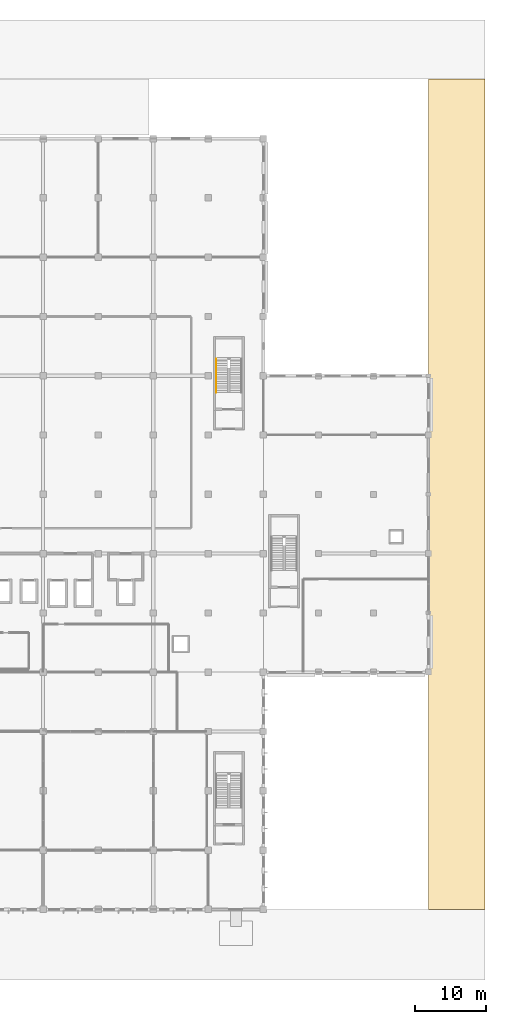
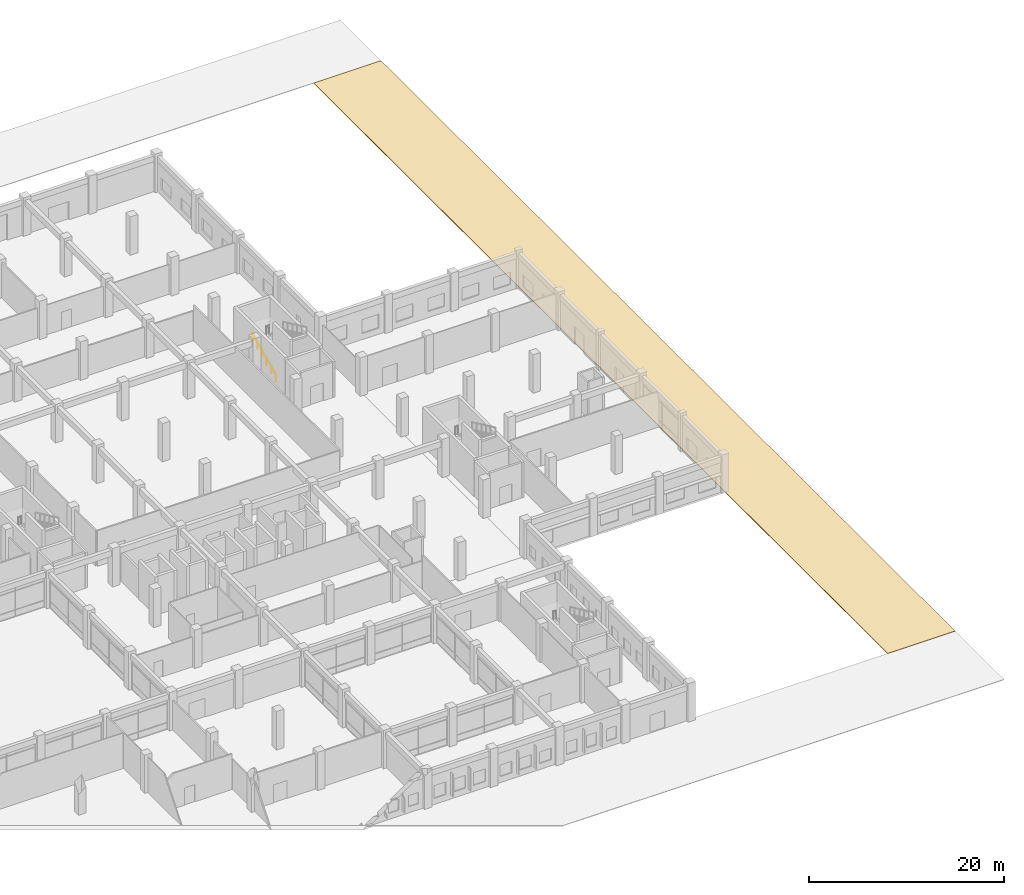
# One storey, part 73 of 74: 1 covering, 1 railing.
"""IFC4 building model written with IfcOpenShell, lengths in metres."""

from ifc_helpers import new_model, si_unit, direction, frame, origin, origin_2d, place, context, subcontext, project, spatial, polyline, circle, outline, extrude, material, layer, layer_set, type_object, element, save


model = new_model("IFC4")

# Units and contexts
model_context = context("Model", 3, precision=1e-05, world=origin(), true_north=direction((0.0, 1.0)))
body_context = subcontext(model_context, "Body", "Model", "MODEL_VIEW")
ifc_project = project(units=[si_unit("LENGTHUNIT", "METRE"), si_unit("AREAUNIT", "SQUARE_METRE"), si_unit("VOLUMEUNIT", "CUBIC_METRE"), si_unit("PLANEANGLEUNIT", "RADIAN"), si_unit("MASSUNIT", "GRAM", prefix="KILO"), si_unit("THERMODYNAMICTEMPERATUREUNIT", "KELVIN"), si_unit("POWERUNIT", "WATT")], contexts=[model_context])

# Site, building, storey
site_placement = place(None, origin())
site = spatial("IfcSite", under=ifc_project, at=site_placement, CompositionType="ELEMENT")
building_placement = place(site_placement, origin())
building = spatial("IfcBuilding", under=site, at=building_placement, Name="Srebrne Nadtorze General Hospital", CompositionType="ELEMENT")
storey_placement = place(building_placement, origin())
storey = spatial("IfcBuildingStorey", under=building, at=storey_placement, Name="L00", CompositionType="ELEMENT", Elevation=0.0)

# Covering
ifc_material_1 = material(Name="Concrete C35/45 precast", Category="concrete")
ifc_layer = layer(ifc_material_1, 0.080078125)
ifc_layer_set = layer_set([ifc_layer], Name="Concrete C35/45 precast")
covering_type = type_object("IfcCoveringType", Name="Granite civic forecourt and perimeter paving", PredefinedType="USERDEFINED", material=ifc_layer_set)
covering_placement = place(storey_placement, frame((0.0, 0.0, -0.080078125)))
element("IfcCovering", 1, at=covering_placement, inside=storey, type_object=covering_type, Name="Civic plaza and perimeter site access paving EAST", ObjectType="PAVING", PredefinedType="USERDEFINED", context=body_context, shape_type="SweptSolid", body=[
    extrude(outline(polyline([(171.6201171875, -0.02001953125), (179.60009765625, -0.02001953125), (179.60009765625, 117.6201171875), (171.6201171875, 117.6201171875), (171.6201171875, -0.02001953125)])), origin(), (0.0, 0.0, 1.0), 0.080078125),
])

# Railing
ifc_material_2 = material(Name="Stainless Steel 316", Category="steel")
railing_type = type_object("IfcRailingType", Name="Tubular stainless handrail 920", PredefinedType="HANDRAIL", material=ifc_material_2)
railing_placement = place(storey_placement, frame((141.530029296875, 73.199951171875, 0.14990234375)))
element("IfcRailing", 2, at=railing_placement, inside=storey, type_object=railing_type, Name="Stair flight handrail ST-04-L00 F1", PredefinedType="HANDRAIL", context=body_context, shape_type="SweptSolid", body=[
    extrude(circle(Radius=0.02392578125, at=origin_2d()), frame((0.0, 0.0, 0.89599609375), z_axis=(0.0, 0.90546059521, 0.424430336476), x_axis=(-1.0, 0.0, 0.0)), (0.0, 0.0, 1.0), 5.30126953125),
    extrude(circle(Radius=0.02099609375, at=origin_2d()), origin(), (0.0, 0.0, 1.0), 0.871826171875),
    extrude(circle(Radius=0.02099609375, at=origin_2d()), frame((0.0, 0.9599609375, 0.449951171875)), (0.0, 0.0, 1.0), 0.871826171875),
    extrude(circle(Radius=0.02099609375, at=origin_2d()), frame((0.0, 1.919921875, 0.89990234375)), (0.0, 0.0, 1.0), 0.871826171875),
    extrude(circle(Radius=0.02099609375, at=origin_2d()), frame((0.0, 2.880126953125, 1.35009765625)), (0.0, 0.0, 1.0), 0.871826171875),
    extrude(circle(Radius=0.02099609375, at=origin_2d()), frame((0.0, 3.840087890625, 1.800048828125)), (0.0, 0.0, 1.0), 0.871826171875),
    extrude(circle(Radius=0.02099609375, at=origin_2d()), frame((0.0, 4.800048828125, 2.25)), (0.0, 0.0, 1.0), 0.871826171875),
])

save(model, "model.ifc")
